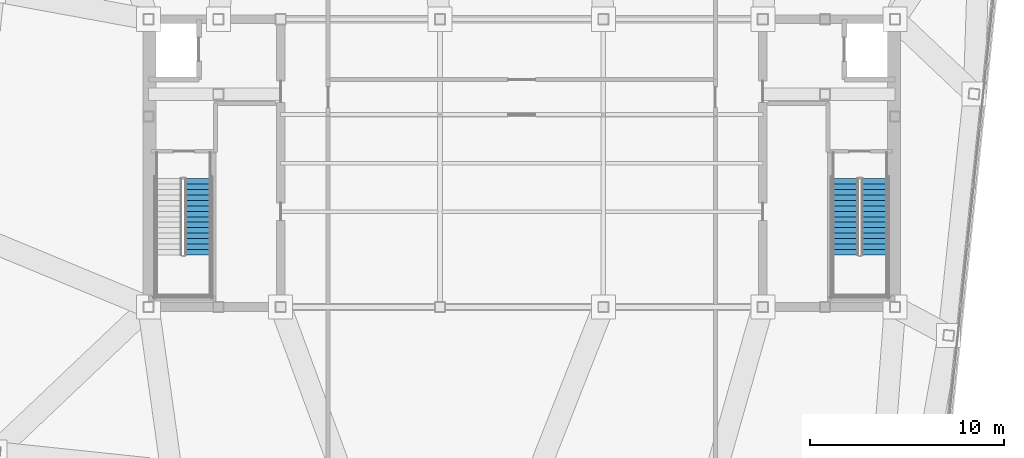
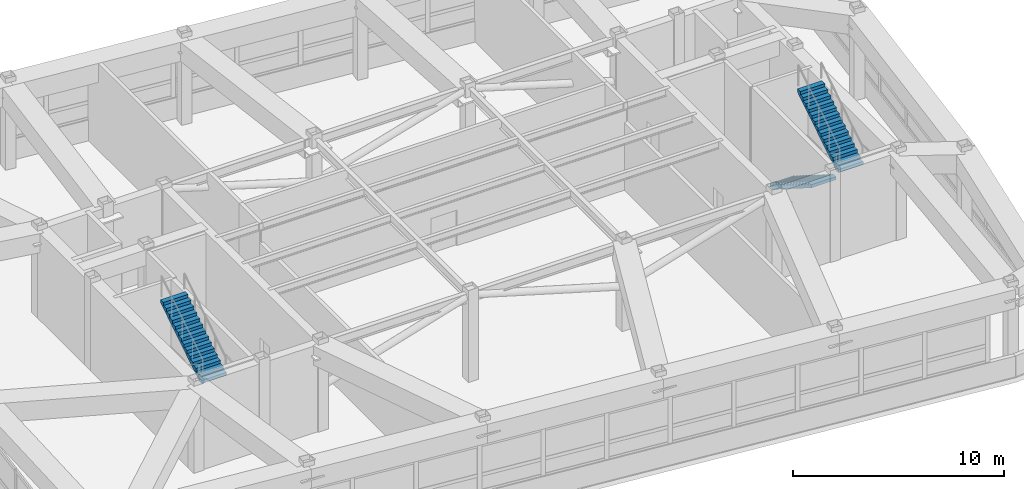
# One storey, part 21 of 23: 3 stair flights, 2 elements without a shape of their own.
"""IFC4 building model written with IfcOpenShell, lengths in metres."""

from ifc_helpers import new_model, si_unit, direction, frame, origin, place, context, subcontext, project, spatial, polyline, outline, extrude, material, type_object, element, aggregate, save


model = new_model("IFC4")

# Units and contexts
model_context = context("Model", 3, precision=1e-05, world=origin(), true_north=direction((0.0, 1.0)))
body_context = subcontext(model_context, "Body", "Model", "MODEL_VIEW")
ifc_project = project(units=[si_unit("LENGTHUNIT", "METRE"), si_unit("AREAUNIT", "SQUARE_METRE"), si_unit("VOLUMEUNIT", "CUBIC_METRE"), si_unit("PLANEANGLEUNIT", "RADIAN"), si_unit("MASSUNIT", "GRAM", prefix="KILO")], contexts=[model_context])

# Site, building, storey
site_placement = place(None, origin())
site = spatial("IfcSite", under=ifc_project, at=site_placement, CompositionType="ELEMENT")
building_placement = place(site_placement, origin())
building = spatial("IfcBuilding", under=site, at=building_placement, Name="Voryun Gate Residences", CompositionType="ELEMENT")
storey_placement = place(building_placement, frame((0.0, 0.0, 316.0)))
storey = spatial("IfcBuildingStorey", under=building, at=storey_placement, Name="L78", CompositionType="ELEMENT", Elevation=316.0)

# Stair, stair flight
ifc_material_1 = material(Name="Concrete C40/50", Category="concrete")
stair_type = type_object("IfcStairType", Name="STR_CORE_DOGLEG_1350", PredefinedType="HALF_TURN_STAIR", material=ifc_material_1)
stair_1_placement = place(storey_placement, origin())
stair_1 = element("IfcStair", 1, at=stair_1_placement, inside=storey, type_object=stair_type, Name="L78 Special Escape Stair ST-W1", PredefinedType="HALF_TURN_STAIR")
ifc_material_2 = material(Name="Concrete C40/50", Category="concrete")
stair_flight_type = type_object("IfcStairFlightType", Name="FLT_CORE_1350", PredefinedType="STRAIGHT", material=ifc_material_2)
stair_flight_1_placement = place(storey_placement, frame((-16.64990234375, -4.719970703125, 2.64990234375), z_axis=(0.0, 0.0, 1.0), x_axis=(0.0, 1.0, 0.0)))
stair_flight_1 = element("IfcStairFlight", 2, at=stair_flight_1_placement, type_object=stair_flight_type, Name="ST-W1 flight 2", NumberOfRisers=15, NumberOfTreads=14, PredefinedType="STRAIGHT", RiserHeight=0.176666667, TreadLength=0.28, context=body_context, shape_type="SweptSolid", body=[
    extrude(outline(polyline([(0.0, 0.0), (0.0, 0.1767578125), (0.280029296875, 0.1767578125), (0.280029296875, 0.353271484375), (0.56005859375, 0.353271484375), (0.56005859375, 0.530029296875), (0.840087890625, 0.530029296875), (0.840087890625, 0.706787109375), (1.1201171875, 0.706787109375), (1.1201171875, 0.88330078125), (1.39990234375, 0.88330078125), (1.39990234375, 1.06005859375), (1.679931640625, 1.06005859375), (1.679931640625, 1.236572265625), (1.9599609375, 1.236572265625), (1.9599609375, 1.413330078125), (2.239990234375, 1.413330078125), (2.239990234375, 1.590087890625), (2.52001953125, 1.590087890625), (2.52001953125, 1.7666015625), (2.800048828125, 1.7666015625), (2.800048828125, 1.943359375), (3.080078125, 1.943359375), (3.080078125, 2.1201171875), (3.360107421875, 2.1201171875), (3.360107421875, 2.296630859375), (3.639892578125, 2.296630859375), (3.639892578125, 2.473388671875), (3.919921875, 2.473388671875), (3.919921875, 2.64990234375), (3.919921875, 2.296142578125), (0.281005859375, 0.0), (0.0, 0.0)])), frame((0.0, 0.675048828125, 0.0), z_axis=(0.0, -1.0, 0.0), x_axis=(1.0, 0.0, 0.0)), (0.0, 0.0, 1.0), 1.35009765625),
])
aggregate(stair_1, [stair_flight_1])

# Stair, stair flights
stair_2_placement = place(storey_placement, origin())
stair_2 = element("IfcStair", 3, at=stair_2_placement, inside=storey, type_object=stair_type, Name="L78 Special Escape Stair ST-E1", PredefinedType="HALF_TURN_STAIR")
stair_flight_2_placement = place(storey_placement, frame((16.64990234375, -0.800048828125, 0.0), z_axis=(0.0, 0.0, 1.0), x_axis=(0.0, -1.0, 0.0)))
stair_flight_2 = element("IfcStairFlight", 4, at=stair_flight_2_placement, type_object=stair_flight_type, Name="ST-E1 flight 1", NumberOfRisers=15, NumberOfTreads=14, PredefinedType="STRAIGHT", RiserHeight=0.176666667, TreadLength=0.28, context=body_context, shape_type="SweptSolid", body=[
    extrude(outline(polyline([(0.0, 0.0), (0.0, 0.1767578125), (0.280029296875, 0.1767578125), (0.280029296875, 0.353271484375), (0.56005859375, 0.353271484375), (0.56005859375, 0.530029296875), (0.840087890625, 0.530029296875), (0.840087890625, 0.706787109375), (1.1201171875, 0.706787109375), (1.1201171875, 0.88330078125), (1.39990234375, 0.88330078125), (1.39990234375, 1.06005859375), (1.679931640625, 1.06005859375), (1.679931640625, 1.236572265625), (1.9599609375, 1.236572265625), (1.9599609375, 1.413330078125), (2.239990234375, 1.413330078125), (2.239990234375, 1.590087890625), (2.52001953125, 1.590087890625), (2.52001953125, 1.7666015625), (2.800048828125, 1.7666015625), (2.800048828125, 1.943359375), (3.080078125, 1.943359375), (3.080078125, 2.1201171875), (3.360107421875, 2.1201171875), (3.360107421875, 2.296630859375), (3.639892578125, 2.296630859375), (3.639892578125, 2.473388671875), (3.919921875, 2.473388671875), (3.919921875, 2.64990234375), (3.919921875, 2.296142578125), (0.281005859375, 0.0), (0.0, 0.0)])), frame((0.0, 0.675048828125, 0.0), z_axis=(0.0, -1.0, 0.0), x_axis=(1.0, 0.0, 0.0)), (0.0, 0.0, 1.0), 1.35009765625),
])
stair_flight_3_placement = place(storey_placement, frame((18.14990234375, -4.719970703125, 2.64990234375), z_axis=(0.0, 0.0, 1.0), x_axis=(0.0, 1.0, 0.0)))
stair_flight_3 = element("IfcStairFlight", 5, at=stair_flight_3_placement, type_object=stair_flight_type, Name="ST-E1 flight 2", NumberOfRisers=15, NumberOfTreads=14, PredefinedType="STRAIGHT", RiserHeight=0.176666667, TreadLength=0.28, context=body_context, shape_type="SweptSolid", body=[
    extrude(outline(polyline([(0.0, 0.0), (0.0, 0.1767578125), (0.280029296875, 0.1767578125), (0.280029296875, 0.353271484375), (0.56005859375, 0.353271484375), (0.56005859375, 0.530029296875), (0.840087890625, 0.530029296875), (0.840087890625, 0.706787109375), (1.1201171875, 0.706787109375), (1.1201171875, 0.88330078125), (1.39990234375, 0.88330078125), (1.39990234375, 1.06005859375), (1.679931640625, 1.06005859375), (1.679931640625, 1.236572265625), (1.9599609375, 1.236572265625), (1.9599609375, 1.413330078125), (2.239990234375, 1.413330078125), (2.239990234375, 1.590087890625), (2.52001953125, 1.590087890625), (2.52001953125, 1.7666015625), (2.800048828125, 1.7666015625), (2.800048828125, 1.943359375), (3.080078125, 1.943359375), (3.080078125, 2.1201171875), (3.360107421875, 2.1201171875), (3.360107421875, 2.296630859375), (3.639892578125, 2.296630859375), (3.639892578125, 2.473388671875), (3.919921875, 2.473388671875), (3.919921875, 2.64990234375), (3.919921875, 2.296142578125), (0.281005859375, 0.0), (0.0, 0.0)])), frame((0.0, 0.675048828125, 0.0), z_axis=(0.0, -1.0, 0.0), x_axis=(1.0, 0.0, 0.0)), (0.0, 0.0, 1.0), 1.35009765625),
])
aggregate(stair_2, [stair_flight_2, stair_flight_3])

save(model, "model.ifc")
